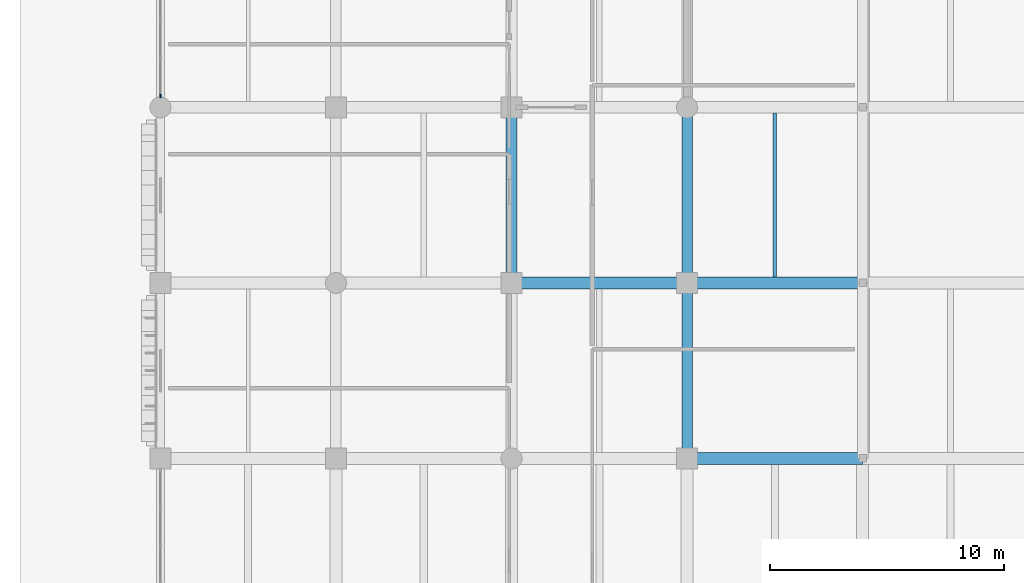
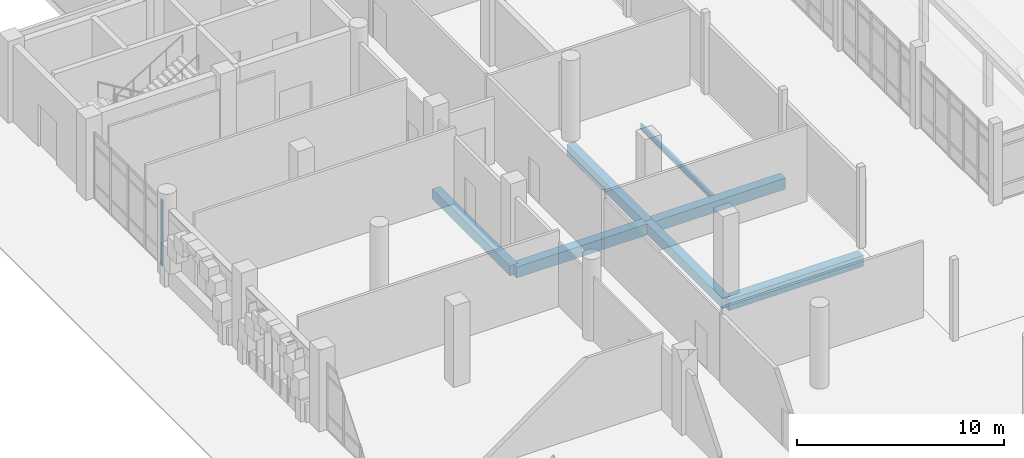
# One storey, part 22 of 125: 7 beams, 1 member, 1 element without a shape of its own.
"""IFC4 building model written with IfcOpenShell, lengths in metres."""

from ifc_helpers import new_model, si_unit, direction, frame, origin, origin_2d, place, context, subcontext, project, spatial, rectangle, i_section, extrude, material, layer, layer_set, material_profile, profile_set, type_object, element, aggregate, save


model = new_model("IFC4")

# Units and contexts
model_context = context("Model", 3, precision=1e-05, world=origin(), true_north=direction((0.0, 1.0)))
body_context = subcontext(model_context, "Body", "Model", "MODEL_VIEW")
ifc_project = project(units=[si_unit("LENGTHUNIT", "METRE"), si_unit("AREAUNIT", "SQUARE_METRE"), si_unit("VOLUMEUNIT", "CUBIC_METRE"), si_unit("PLANEANGLEUNIT", "RADIAN"), si_unit("MASSUNIT", "GRAM", prefix="KILO")], contexts=[model_context])

# Site, building, storey
site_placement = place(None, origin())
site = spatial("IfcSite", under=ifc_project, at=site_placement, CompositionType="ELEMENT")
building_placement = place(site_placement, origin())
building = spatial("IfcBuilding", under=site, at=building_placement, Name="Dalvernix Boulevard General Hospital", CompositionType="ELEMENT")
storey_placement = place(building_placement, origin())
storey = spatial("IfcBuildingStorey", under=building, at=storey_placement, Name="L00", CompositionType="ELEMENT", Elevation=0.0)

# Beams
ifc_material_1 = material(Name="Concrete C35/45", Category="concrete")
ifc_material_profile_1 = material_profile(ifc_material_1, rectangle(XDim=0.5, YDim=0.64990234375, at=origin_2d()), Name="RCB 500x650")
ifc_profile_set_1 = profile_set([ifc_material_profile_1], Name="Concrete C35/45")
beam_type_1 = type_object("IfcBeamType", Name="BM-B-02-I", PredefinedType="BEAM", material=ifc_profile_set_1)
for number, where, z_axis, x_axis, name in (
    (1, (22.5, 31.5, -0.68505859375), (1.0, 0.0, 0.0), (0.0, 1.0, 0.0), "L00 E-W girder E:4-5"),
    (2, (15.0, 39.0, -0.68505859375), (1.0, 0.0, 0.0), (0.0, 1.0, 0.0), "L00 E-W girder F:3-4"),
    (3, (22.5, 39.0, -0.68505859375), (1.0, 0.0, 0.0), (0.0, 1.0, 0.0), "L00 E-W girder F:4-5"),
):
    element("IfcBeam", number, at=place(storey_placement, frame(where, z_axis=z_axis, x_axis=x_axis)), inside=storey, type_object=beam_type_1, Name=name, PredefinedType="BEAM", context=body_context, shape_type="SweptSolid", body=[
        extrude(rectangle(XDim=0.5, YDim=0.64990234375, at=origin_2d()), origin(), (0.0, 0.0, 1.0), 7.5),
    ])
ifc_material_profile_2 = material_profile(ifc_material_1, rectangle(XDim=0.449951171875, YDim=0.60009765625, at=origin_2d()), Name="RCB 450x600")
ifc_profile_set_2 = profile_set([ifc_material_profile_2], Name="Concrete C35/45")
beam_type_2 = type_object("IfcBeamType", Name="BM-B-04-I", PredefinedType="BEAM", material=ifc_profile_set_2)
for number, where, z_axis, x_axis, name in (
    (4, (15.0, 39.0, -0.659912109375), (0.0, 1.0, 0.0), (-1.0, 0.0, 0.0), "L00 N-S girder 3:F-G"),
    (5, (22.5, 31.5, -0.659912109375), (0.0, 1.0, 0.0), (-1.0, 0.0, 0.0), "L00 N-S girder 4:E-F"),
    (6, (22.5, 39.0, -0.659912109375), (0.0, 1.0, 0.0), (-1.0, 0.0, 0.0), "L00 N-S girder 4:F-G"),
):
    element("IfcBeam", number, at=place(storey_placement, frame(where, z_axis=z_axis, x_axis=x_axis)), inside=storey, type_object=beam_type_2, Name=name, PredefinedType="BEAM", context=body_context, shape_type="SweptSolid", body=[
        extrude(rectangle(XDim=0.449951171875, YDim=0.60009765625, at=origin_2d()), origin(), (0.0, 0.0, 1.0), 7.5),
    ])
ifc_material_2 = material(Name="Steel S355", Category="steel")
ifc_material_profile_3 = material_profile(ifc_material_2, i_section(OverallWidth=0.14990234375, OverallDepth=0.300048828125, WebThickness=0.007080078125, FlangeThickness=0.0107421875, FilletRadius=0.014892578125, at=origin_2d()), Name="IPE 300")
ifc_profile_set_3 = profile_set([ifc_material_profile_3], Name="Steel S355")
beam_type_3 = type_object("IfcBeamType", Name="BM-JB-03", PredefinedType="JOIST", material=ifc_profile_set_3)
beam_placement = place(storey_placement, frame((26.25, 39.25, -0.510009765625), z_axis=(0.0, 1.0, 0.0), x_axis=(-1.0, 0.0, 0.0)))
element("IfcBeam", 7, at=beam_placement, inside=storey, type_object=beam_type_3, Name="L00 secondary floor beam 4-F", PredefinedType="JOIST", context=body_context, shape_type="SweptSolid", body=[
    extrude(i_section(OverallWidth=0.14990234375, OverallDepth=0.300048828125, WebThickness=0.007080078125, FlangeThickness=0.0107421875, FilletRadius=0.014892578125, at=origin_2d()), origin(), (0.0, 0.0, 1.0), 7.0),
])

# Curtain wall, member
ifc_material_3 = material(Name="Thermally broken aluminium and solar-control glass curtain wall", Category="aluminium")
ifc_layer = layer(ifc_material_3, 0.159912109375)
ifc_layer_set = layer_set([ifc_layer], Name="Thermally broken aluminium and solar-control glass curtain wall (CW-CW-A-66x39)")
curtain_wall_type = type_object("IfcCurtainWallType", Name="CW-CW-A-66x39", PredefinedType="USERDEFINED", material=ifc_layer_set)
curtain_wall_placement = place(storey_placement, origin())
curtain_wall = element("IfcCurtainWall", 8, at=curtain_wall_placement, inside=storey, type_object=curtain_wall_type, Name="L00 curtain wall CW-A-66x39 0-6", ObjectType="GLAZED FACADE", PredefinedType="USERDEFINED")
ifc_material_4 = material(Name="Aluminium EN AW-6060", Category="aluminium")
ifc_material_profile_4 = material_profile(ifc_material_4, rectangle(XDim=0.06005859375, YDim=0.159912109375, at=origin_2d()), Name="ALU MULL 60x160")
ifc_profile_set_4 = profile_set([ifc_material_profile_4], Name="Aluminium EN AW-6060")
member_type = type_object("IfcMemberType", Name="MEM-CW-M1", PredefinedType="MULLION", material=ifc_profile_set_4)
member_placement = place(storey_placement, frame((0.0, 46.989990234375, 0.0), z_axis=(0.0, 0.0, 1.0), x_axis=(-1.0, 0.0, 0.0)))
member = element("IfcMember", 9, at=member_placement, type_object=member_type, Name="CW-A-66x39 mullion 1", PredefinedType="MULLION", context=body_context, shape_type="SweptSolid", body=[
    extrude(rectangle(XDim=0.06005859375, YDim=0.159912109375, at=origin_2d()), origin(), (0.0, 0.0, 1.0), 3.89990234375),
])
aggregate(curtain_wall, [member])

save(model, "model.ifc")
